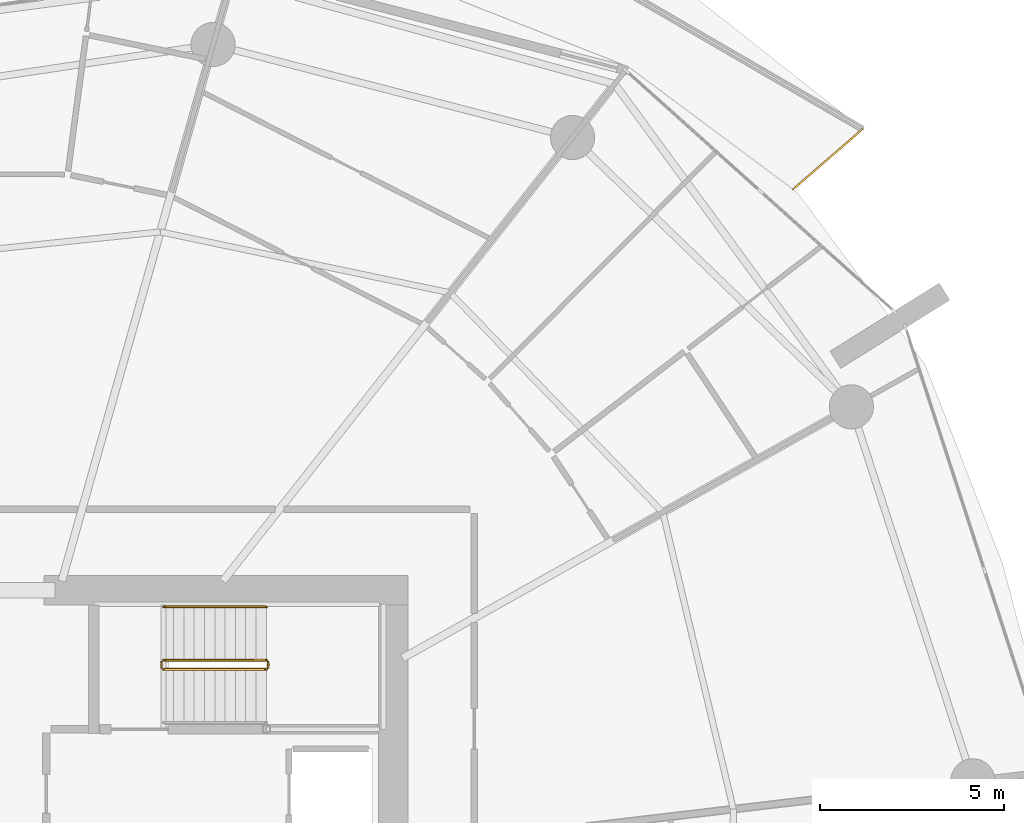
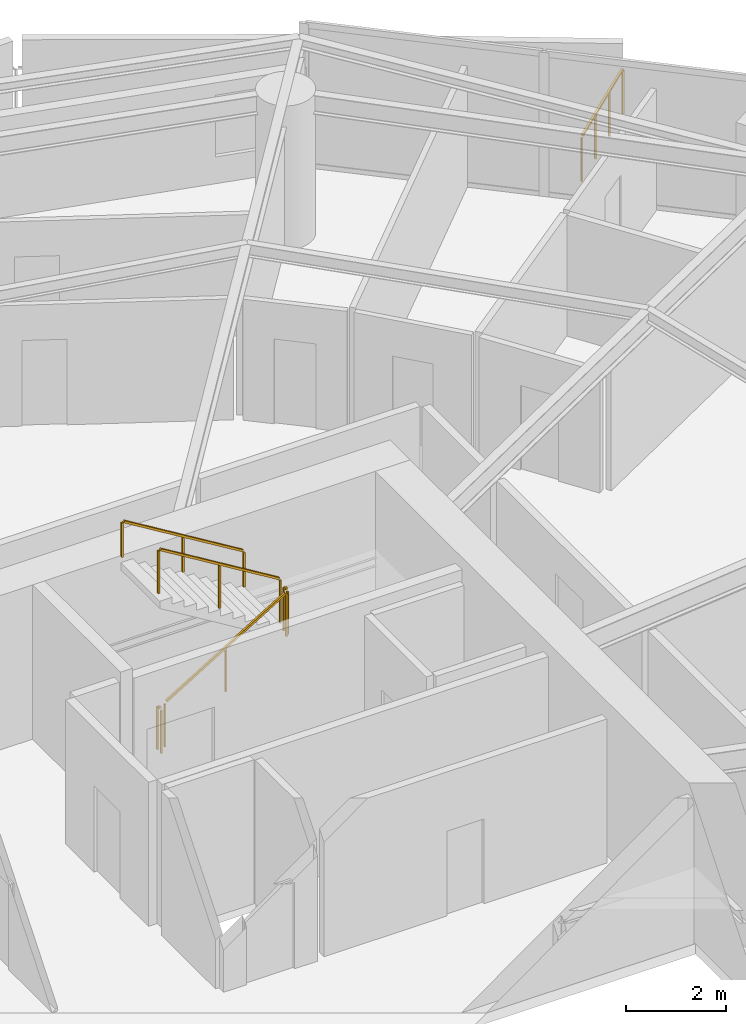
# One storey, part 22 of 23: 6 railings.
"""IFC4 building model written with IfcOpenShell, lengths in metres."""

import ifcopenshell
import ifcopenshell.guid

model = None  # the IFC model being written
_history = None  # IfcOwnerHistory: only IFC2X3 demands one
_inside = {}  # id of a spatial element -> (the spatial element, [elements in it])
_under = {}  # id of a project, library or spatial element -> (it, [spatial elements below it])
_declared = {}  # id of a project -> (the project, [libraries it declares])
_typed = {}  # id of a type object -> (the type object, [elements of that type])
_made_of = {}  # id of a material, layer set ... -> (it, [elements and type objects made of it])


def new_model(schema):
    """Start an empty IFC model of exactly this schema.

    Asked for "IFC4X3", IfcOpenShell would pick the latest addendum, in which some entities
    have other attributes; the version numbers below select the first issue.
    IFC2X3 requires an IfcOwnerHistory on every rooted entity: one is made here for all.
    """
    global model, _history
    if schema == "IFC4X3":
        model = ifcopenshell.file(schema_version=(4, 3, 0, 0))
    else:
        model = ifcopenshell.file(schema=schema)
    _inside.clear()
    _under.clear()
    _declared.clear()
    _typed.clear()
    _made_of.clear()
    _history = None
    if model.schema == "IFC2X3":
        org = make("IfcOrganization", Name="unknown")
        user = make(
            "IfcPersonAndOrganization",
            ThePerson=make("IfcPerson", FamilyName="unknown"),
            TheOrganization=org,
        )
        app = make(
            "IfcApplication",
            ApplicationDeveloper=org,
            Version="unknown",
            ApplicationFullName="unknown",
            ApplicationIdentifier="unknown",
        )
        _history = make(
            "IfcOwnerHistory",
            OwningUser=user,
            OwningApplication=app,
            ChangeAction="ADDED",
            CreationDate=0,
        )
    return model


def make(cls, **values):
    """One entity of the class cls with the attributes given. An attribute that is None is left unset."""
    return model.create_entity(
        cls, **{name: value for name, value in values.items() if value is not None}
    )


def rooted(cls, **values):
    """An entity with a GlobalId (a new one), such as an element, a storey or a relation."""
    return make(cls, GlobalId=ifcopenshell.guid.new(), OwnerHistory=_history, **values)


def si_unit(unit_type, name, prefix=None):
    """IfcSIUnit, for example si_unit("LENGTHUNIT", "METRE", prefix="MILLI")."""
    return make("IfcSIUnit", UnitType=unit_type, Prefix=prefix, Name=name)


def assignment(units):
    """IfcUnitAssignment: the units of a project."""
    return None if units is None else make("IfcUnitAssignment", Units=units)


def point(xyz):
    """IfcCartesianPoint."""
    return None if xyz is None else make("IfcCartesianPoint", Coordinates=xyz)


def direction(xyz):
    """IfcDirection."""
    return None if xyz is None else make("IfcDirection", DirectionRatios=xyz)


def frame(location, z_axis=None, x_axis=None):
    """IfcAxis2Placement3D, a coordinate frame: its origin and axes. An axis left out is left unset."""
    return make(
        "IfcAxis2Placement3D",
        Location=point(location),
        Axis=direction(z_axis),
        RefDirection=direction(x_axis),
    )


def frame_2d(location, x_axis=None):
    """IfcAxis2Placement2D, a coordinate frame in the plane: its origin and x axis."""
    return make(
        "IfcAxis2Placement2D", Location=point(location), RefDirection=direction(x_axis)
    )


def origin():
    """The frame at (0, 0, 0) with its axes left unset."""
    return frame((0.0, 0.0, 0.0))


def origin_2d():
    """The frame at (0, 0) in the plane with its x axis left unset."""
    return frame_2d((0.0, 0.0))


def place(relative_to, where):
    """IfcLocalPlacement: puts the frame where relative to a parent placement (None: the world)."""
    return make(
        "IfcLocalPlacement", PlacementRelTo=relative_to, RelativePlacement=where
    )


def context(
    kind, dimensions, precision=None, world=None, true_north=None, identifier=None
):
    """IfcGeometricRepresentationContext, for example the 3D "Model" context."""
    return make(
        "IfcGeometricRepresentationContext",
        ContextIdentifier=identifier,
        ContextType=kind,
        CoordinateSpaceDimension=dimensions,
        Precision=precision,
        WorldCoordinateSystem=world,
        TrueNorth=true_north,
    )


def subcontext(parent, identifier, kind, view, scale=None):
    """IfcGeometricRepresentationSubContext, for example "Body" below "Model"."""
    return make(
        "IfcGeometricRepresentationSubContext",
        ContextIdentifier=identifier,
        ContextType=kind,
        ParentContext=parent,
        TargetScale=scale,
        TargetView=view,
    )


def project(units=None, contexts=None):
    """IfcProject with its units and contexts."""
    return rooted(
        "IfcProject",
        Name="project",
        RepresentationContexts=contexts,
        UnitsInContext=assignment(units),
    )


def spatial(cls, under=None, at=None, **own):
    """A site, building, storey or space (cls), placed at a placement, below another one or the project."""
    s = rooted(cls, ObjectPlacement=at, **own)
    if under is not None:
        _under.setdefault(under.id(), (under, []))[1].append(s)
    return s


def profile(cls, at=None, kind="AREA", **sizes):
    """A parametric profile (cls). Its sizes go by their IFC names, for example OverallWidth=200.0."""
    return make(cls, ProfileType=kind, Position=at, **sizes)


def rectangle(**sizes):
    """IfcRectangleProfileDef."""
    return profile("IfcRectangleProfileDef", **sizes)


def extrude(swept, where, along, depth):
    """IfcExtrudedAreaSolid: the profile swept, set in the frame where, extruded along a direction by depth."""
    return make(
        "IfcExtrudedAreaSolid",
        SweptArea=swept,
        Position=where,
        ExtrudedDirection=direction(along),
        Depth=depth,
    )


def shape(context_of_items, identifier, shape_type, items):
    """IfcShapeRepresentation: the items that make up one representation, for example the "Body"."""
    return make(
        "IfcShapeRepresentation",
        ContextOfItems=context_of_items,
        RepresentationIdentifier=identifier,
        RepresentationType=shape_type,
        Items=items,
    )


def material(Name=None, Category=None):
    """IfcMaterial."""
    return make("IfcMaterial", Name=Name, Category=Category)


def made_of(thing, what):
    """Note that an element or type object is made of a material, layer set ...; save() writes the relation."""
    if what is not None:
        _made_of.setdefault(what.id(), (what, []))[1].append(thing)
    return thing


def type_object(cls, material=None, **own):
    """A type object (cls), such as IfcWallType, which elements share."""
    return made_of(rooted(cls, **own), material)


def element(
    cls,
    number,
    at=None,
    inside=None,
    cuts=None,
    type_object=None,
    material=None,
    context=None,
    identifier="Body",
    shape_type=None,
    held_by="IfcProductDefinitionShape",
    body=None,
    shapes=None,
    **own,
):
    """One element of the class cls, such as IfcWall. Its Tag is "e" and its number.

    at: its placement. inside: the storey or other place that contains it. cuts: it is an
    opening in that element (IfcRelVoidsElement). A single representation is given by context,
    identifier, shape_type and body (its items); several are given by shapes. held_by: the class
    of the entity that holds the representations. save() writes the other relations.
    """
    e = rooted(cls, Tag="e%d" % number, ObjectPlacement=at, **own)
    if body is not None:
        shapes = [shape(context, identifier, shape_type, body)]
    if shapes is not None:
        e.Representation = make(held_by, Representations=shapes)
    if inside is not None:
        _inside.setdefault(inside.id(), (inside, []))[1].append(e)
    if cuts is not None:
        rooted(
            "IfcRelVoidsElement", RelatingBuildingElement=cuts, RelatedOpeningElement=e
        )
    if type_object is not None:
        _typed.setdefault(type_object.id(), (type_object, []))[1].append(e)
    return made_of(e, material)


def aggregate(whole, parts):
    """IfcRelAggregates: a whole, such as a stair, and the parts it consists of."""
    return rooted("IfcRelAggregates", RelatingObject=whole, RelatedObjects=parts)


def save(model, path):
    """Write the relations noted so far, then the file.

    IfcRelAggregates (storeys below a building ...), IfcRelContainedInSpatialStructure (elements
    in a storey), IfcRelDefinesByType, IfcRelAssociatesMaterial and IfcRelDeclares: one each for
    every whole, place, type object, material and project.
    """
    for whole, parts in _under.values():
        aggregate(whole, parts)
    for where, things in _inside.values():
        rooted(
            "IfcRelContainedInSpatialStructure",
            RelatedElements=things,
            RelatingStructure=where,
        )
    for kind, things in _typed.values():
        rooted("IfcRelDefinesByType", RelatedObjects=things, RelatingType=kind)
    for what, things in _made_of.values():
        rooted("IfcRelAssociatesMaterial", RelatedObjects=things, RelatingMaterial=what)
    for by, libraries in _declared.values():
        rooted("IfcRelDeclares", RelatingContext=by, RelatedDefinitions=libraries)
    model.write(path)


model = new_model("IFC4")

# Units and contexts
model_context = context("Model", 3, precision=1e-05, world=origin(), true_north=direction((0.0, 1.0)))
body_context = subcontext(model_context, "Body", "Model", "MODEL_VIEW")
ifc_project = project(units=[si_unit("LENGTHUNIT", "METRE"), si_unit("AREAUNIT", "SQUARE_METRE"), si_unit("VOLUMEUNIT", "CUBIC_METRE"), si_unit("PLANEANGLEUNIT", "RADIAN"), si_unit("MASSUNIT", "GRAM", prefix="KILO")], contexts=[model_context])

# Site, building, storey
site_placement = place(None, origin())
site = spatial("IfcSite", under=ifc_project, at=site_placement, CompositionType="ELEMENT")
building_placement = place(site_placement, origin())
building = spatial("IfcBuilding", under=site, at=building_placement, Name="Kazma Halo Residences", CompositionType="ELEMENT")
storey_placement = place(building_placement, frame((0.0, 0.0, 101.39990234375)))
storey = spatial("IfcBuildingStorey", under=building, at=storey_placement, Name="L25", CompositionType="ELEMENT", Elevation=101.39990234375)

# Railings
ifc_material_1 = material(Name="Aluminium AW-6063 T6 Brushed Cap Rail", Category="aluminium")
railing_type_1 = type_object("IfcRailingType", Name="RLG-BAL-CAP-1120", PredefinedType="BALUSTRADE", material=ifc_material_1)
railing_1_placement = place(storey_placement, frame((70.323974609375, 61.303466796875, 0.0)))
element("IfcRailing", 1, at=railing_1_placement, inside=storey, type_object=railing_type_1, Name="L25 NE wave balcony guard 1", PredefinedType="BALUSTRADE", context=body_context, shape_type="SweptSolid", body=[
    extrude(rectangle(XDim=0.050048828125, YDim=0.050048828125, at=origin_2d()), frame((0.0322265625, 0.02783203125, 1.09521484375), z_axis=(0.756395892715, 0.654114098216, 0.0), x_axis=(-0.654114098216, 0.756395892715, 0.0)), (0.0, 0.0, 1.0), 2.4091796875),
    extrude(rectangle(XDim=0.0400390625, YDim=0.0400390625, at=origin_2d()), origin(), (0.0, 0.0, 1.0), 1.05810546875),
    extrude(rectangle(XDim=0.0400390625, YDim=0.0400390625, at=origin_2d()), frame((0.62890625, 0.5439453125, 0.0)), (0.0, 0.0, 1.0), 1.05810546875),
    extrude(rectangle(XDim=0.0400390625, YDim=0.0400390625, at=origin_2d()), frame((1.2578125, 1.087646484375, 0.0)), (0.0, 0.0, 1.0), 1.05810546875),
    extrude(rectangle(XDim=0.0400390625, YDim=0.0400390625, at=origin_2d()), frame((1.88671875, 1.631591796875, 0.0)), (0.0, 0.0, 1.0), 1.05810546875),
])
ifc_material_2 = material(Name="Painted Steel S355", Category="steel")
railing_type_2 = type_object("IfcRailingType", Name="RLG-STAIR-GRD-1100", PredefinedType="GUARDRAIL", material=ifc_material_2)
railing_2_placement = place(storey_placement, frame((53.199951171875, 48.25, 0.170654296875)))
element("IfcRailing", 2, at=railing_2_placement, inside=storey, type_object=railing_type_2, Name="L25 ST-02 stair guard 1", PredefinedType="GUARDRAIL", context=body_context, shape_type="SweptSolid", body=[
    extrude(rectangle(XDim=0.050048828125, YDim=0.050048828125, at=origin_2d()), frame((0.036376953125, 0.0, 1.09716796875), z_axis=(0.854202870247, 0.0, 0.519939858505), x_axis=(0.0, 1.0, 0.0)), (0.0, 0.0, 1.0), 3.19287109375),
    extrude(rectangle(XDim=0.0400390625, YDim=0.0400390625, at=origin_2d()), origin(), (0.0, 0.0, 1.0), 1.0380859375),
    extrude(rectangle(XDim=0.0400390625, YDim=0.0400390625, at=origin_2d()), frame((1.39990234375, 0.0, 0.85205078125)), (0.0, 0.0, 1.0), 1.0380859375),
    extrude(rectangle(XDim=0.0400390625, YDim=0.0400390625, at=origin_2d()), frame((2.800048828125, 0.0, 1.704345703125)), (0.0, 0.0, 1.0), 1.0380859375),
])
railing_3_placement = place(storey_placement, frame((56.050048828125, 48.300048828125, 1.875)))
element("IfcRailing", 3, at=railing_3_placement, inside=storey, type_object=railing_type_2, Name="L25 ST-02 stair guard 2", PredefinedType="GUARDRAIL", context=body_context, shape_type="SweptSolid", body=[
    extrude(rectangle(XDim=0.050048828125, YDim=0.050048828125, at=origin_2d()), frame((0.0, 0.04248046875, 1.0751953125), z_axis=(0.0, 1.0, 0.0), x_axis=(-1.0, 0.0, 0.0)), (0.0, 0.0, 1.0), 0.06494140625),
    extrude(rectangle(XDim=0.0400390625, YDim=0.0400390625, at=origin_2d()), origin(), (0.0, 0.0, 1.0), 1.0380859375),
    extrude(rectangle(XDim=0.0400390625, YDim=0.0400390625, at=origin_2d()), frame((0.0, 0.14990234375, 0.0)), (0.0, 0.0, 1.0), 1.0380859375),
])
railing_4_placement = place(storey_placement, frame((56.0, 48.5, 2.045654296875)))
element("IfcRailing", 4, at=railing_4_placement, inside=storey, type_object=railing_type_2, Name="L25 ST-02 stair guard 3", PredefinedType="GUARDRAIL", context=body_context, shape_type="SweptSolid", body=[
    extrude(rectangle(XDim=0.050048828125, YDim=0.050048828125, at=origin_2d()), frame((-0.036376953125, 0.0, 1.09716796875), z_axis=(-0.854202870247, 0.0, 0.519939858505), x_axis=(0.0, -1.0, 0.0)), (0.0, 0.0, 1.0), 3.19287109375),
    extrude(rectangle(XDim=0.0400390625, YDim=0.0400390625, at=origin_2d()), origin(), (0.0, 0.0, 1.0), 1.0380859375),
    extrude(rectangle(XDim=0.0400390625, YDim=0.0400390625, at=origin_2d()), frame((-1.39990234375, 0.0, 0.85205078125)), (0.0, 0.0, 1.0), 1.0380859375),
    extrude(rectangle(XDim=0.0400390625, YDim=0.0400390625, at=origin_2d()), frame((-2.800048828125, 0.0, 1.704345703125)), (0.0, 0.0, 1.0), 1.0380859375),
])
railing_5_placement = place(storey_placement, frame((53.14990234375, 48.300048828125, 0.0)))
element("IfcRailing", 5, at=railing_5_placement, inside=storey, type_object=railing_type_2, Name="L25 ST-02 stair guard 4", PredefinedType="GUARDRAIL", context=body_context, shape_type="SweptSolid", body=[
    extrude(rectangle(XDim=0.050048828125, YDim=0.050048828125, at=origin_2d()), frame((0.0, 0.04248046875, 1.0751953125), z_axis=(0.0, 1.0, 0.0), x_axis=(-1.0, 0.0, 0.0)), (0.0, 0.0, 1.0), 0.06494140625),
    extrude(rectangle(XDim=0.0400390625, YDim=0.0400390625, at=origin_2d()), origin(), (0.0, 0.0, 1.0), 1.0380859375),
    extrude(rectangle(XDim=0.0400390625, YDim=0.0400390625, at=origin_2d()), frame((0.0, 0.14990234375, 0.0)), (0.0, 0.0, 1.0), 1.0380859375),
])
ifc_material_3 = material(Name="Brushed Stainless Steel", Category="steel")
railing_type_3 = type_object("IfcRailingType", Name="RLG-STAIR-HND-900", PredefinedType="HANDRAIL", material=ifc_material_3)
railing_6_placement = place(storey_placement, frame((56.0, 49.949951171875, 2.045654296875)))
element("IfcRailing", 6, at=railing_6_placement, inside=storey, type_object=railing_type_3, Name="L25 ST-02 stair handrail 2", PredefinedType="HANDRAIL", context=body_context, shape_type="SweptSolid", body=[
    extrude(rectangle(XDim=0.050048828125, YDim=0.050048828125, at=origin_2d()), frame((-0.036376953125, 0.0, 0.89697265625), z_axis=(-0.854202870247, 0.0, 0.519939858505), x_axis=(0.0, -1.0, 0.0)), (0.0, 0.0, 1.0), 3.19287109375),
    extrude(rectangle(XDim=0.0400390625, YDim=0.0400390625, at=origin_2d()), origin(), (0.0, 0.0, 1.0), 0.837890625),
    extrude(rectangle(XDim=0.0400390625, YDim=0.0400390625, at=origin_2d()), frame((-1.39990234375, 0.0, 0.85205078125)), (0.0, 0.0, 1.0), 0.837890625),
    extrude(rectangle(XDim=0.0400390625, YDim=0.0400390625, at=origin_2d()), frame((-2.800048828125, 0.0, 1.704345703125)), (0.0, 0.0, 1.0), 0.837890625),
])

save(model, "model.ifc")
